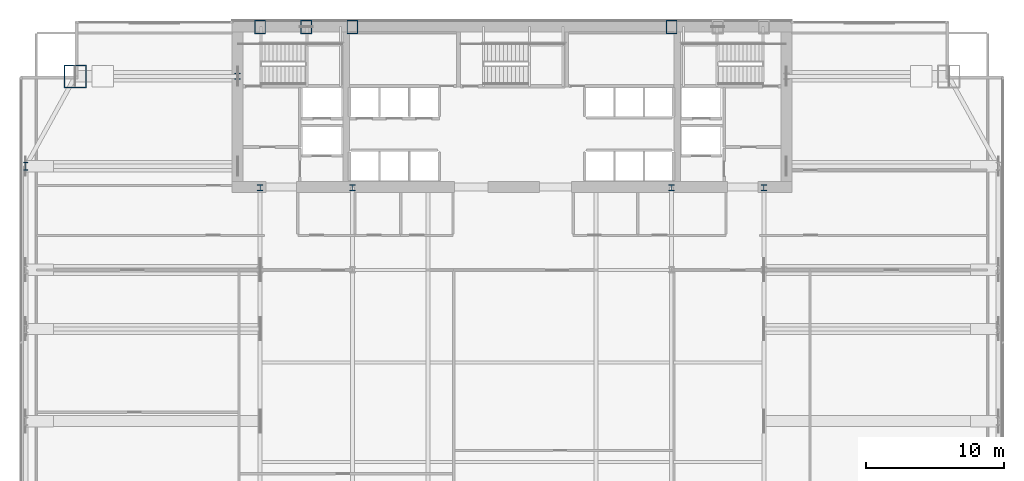
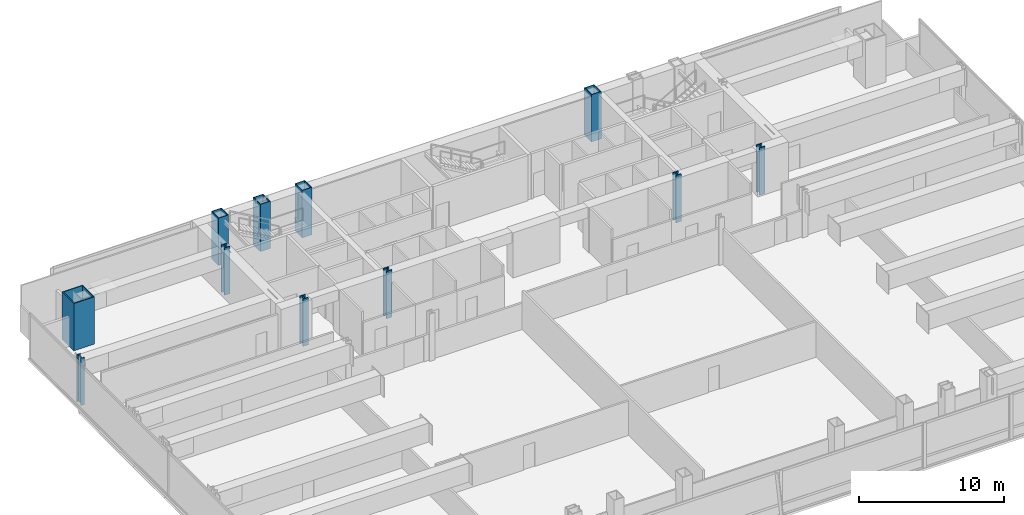
# One storey, part 3 of 32: 11 columns.
"""IFC4 building model written with IfcOpenShell, lengths in metres."""

from ifc_helpers import new_model, si_unit, direction, frame, origin, origin_2d, place, context, subcontext, project, spatial, hollow_rectangle, i_section, extrude, material, material_profile, profile_set, type_object, element, save


model = new_model("IFC4")

# Units and contexts
model_context = context("Model", 3, precision=1e-05, world=origin(), true_north=direction((0.0, 1.0)))
body_context = subcontext(model_context, "Body", "Model", "MODEL_VIEW")
ifc_project = project(units=[si_unit("LENGTHUNIT", "METRE"), si_unit("AREAUNIT", "SQUARE_METRE"), si_unit("VOLUMEUNIT", "CUBIC_METRE"), si_unit("PLANEANGLEUNIT", "RADIAN"), si_unit("MASSUNIT", "GRAM", prefix="KILO")], contexts=[model_context])

# Site, building, storey
site_placement = place(None, origin())
site = spatial("IfcSite", under=ifc_project, at=site_placement, CompositionType="ELEMENT")
building_placement = place(site_placement, origin())
building = spatial("IfcBuilding", under=site, at=building_placement, Name="Khoronbel Lancet Exchange", CompositionType="ELEMENT")
storey_placement = place(building_placement, frame((0.0, 0.0, 77.800048828125)))
storey = spatial("IfcBuildingStorey", under=building, at=storey_placement, Name="L18", CompositionType="ELEMENT", Elevation=77.800048828125)

# Columns
ifc_material_1 = material(Name="Steel S460", Category="steel")
ifc_material_profile_1 = material_profile(ifc_material_1, hollow_rectangle(XDim=0.800048828125, YDim=1.0, WallThickness=0.054931640625, at=origin_2d()), Name="BOX 1000x800x55")
ifc_profile_set_1 = profile_set([ifc_material_profile_1], Name="Steel S460")
column_type_1 = type_object("IfcColumnType", Name="COL-EC1", PredefinedType="COLUMN", material=ifc_profile_set_1)
for number, where, z_axis, x_axis, name in (
    (1, (18.22509765625, 53.280029296875, 0.0), (0.0, 0.0, 1.0), (1.0, 0.0, 0.0), "Structural column NC-W1 L18"),
    (2, (21.5625, 53.280029296875, 0.0), (0.0, 0.0, 1.0), (1.0, 0.0, 0.0), "Structural column NC-WM L18"),
    (3, (24.89990234375, 53.280029296875, 0.0), (0.0, 0.0, 1.0), (1.0, 0.0, 0.0), "Structural column NC-W2 L18"),
    (4, (48.0, 53.280029296875, 0.0), (0.0, 0.0, 1.0), (1.0, 0.0, 0.0), "Structural column NC-E1 L18"),
):
    element("IfcColumn", number, at=place(storey_placement, frame(where, z_axis=z_axis, x_axis=x_axis)), inside=storey, type_object=column_type_1, Name=name, PredefinedType="COLUMN", context=body_context, shape_type="SweptSolid", body=[
        extrude(hollow_rectangle(XDim=0.800048828125, YDim=1.0, WallThickness=0.054931640625, at=origin_2d()), origin(), (0.0, 0.0, 1.0), 4.0),
    ])
ifc_material_profile_2 = material_profile(ifc_material_1, i_section(OverallWidth=0.424072265625, OverallDepth=0.47412109375, WebThickness=0.047607421875, FlangeThickness=0.076904296875, at=origin_2d()), Name="HD 400x634")
ifc_profile_set_2 = profile_set([ifc_material_profile_2], Name="Steel S460")
column_type_2 = type_object("IfcColumnType", Name="COL-IC1", PredefinedType="COLUMN", material=ifc_profile_set_2)
for number, where, z_axis, x_axis, name in (
    (5, (16.60009765625, 49.699951171875, 0.0), (0.0, 0.0, 1.0), (1.0, 0.0, 0.0), "Core-flank plumb transfer column CFW L18"),
    (6, (18.22509765625, 41.64990234375, 0.0), (0.0, 0.0, 1.0), (1.0, 0.0, 0.0), "Core-embedded steel column CTC1 L18"),
    (7, (24.89990234375, 41.64990234375, 0.0), (0.0, 0.0, 1.0), (1.0, 0.0, 0.0), "Core-embedded steel column CTC2 L18"),
    (8, (48.0, 41.64990234375, 0.0), (0.0, 0.0, 1.0), (1.0, 0.0, 0.0), "Core-embedded steel column CTC3 L18"),
    (9, (54.675048828125, 41.64990234375, 0.0), (0.0, 0.0, 1.0), (1.0, 0.0, 0.0), "Core-embedded steel column CTC4 L18"),
):
    element("IfcColumn", number, at=place(storey_placement, frame(where, z_axis=z_axis, x_axis=x_axis)), inside=storey, type_object=column_type_2, Name=name, PredefinedType="COLUMN", context=body_context, shape_type="SweptSolid", body=[
        extrude(i_section(OverallWidth=0.424072265625, OverallDepth=0.47412109375, WebThickness=0.047607421875, FlangeThickness=0.076904296875, at=origin_2d()), origin(), (0.0, 0.0, 1.0), 4.0),
    ])
ifc_material_2 = material(Name="Steel S355", Category="steel")
ifc_material_profile_3 = material_profile(ifc_material_2, i_section(OverallWidth=0.300048828125, OverallDepth=0.550048828125, WebThickness=0.014892578125, FlangeThickness=0.029052734375, at=origin_2d()), Name="HEB 550")
ifc_profile_set_3 = profile_set([ifc_material_profile_3], Name="Steel S355")
column_type_3 = type_object("IfcColumnType", Name="COL-LC1", PredefinedType="COLUMN", material=ifc_profile_set_3)
column_1_placement = place(storey_placement, frame((1.27001953125, 43.199951171875, 0.0), z_axis=(0.0, 0.0, 1.0), x_axis=(1.0, 0.0, 0.0)))
element("IfcColumn", 10, at=column_1_placement, inside=storey, type_object=column_type_3, Name="Structural column WC-4 L18", PredefinedType="COLUMN", context=body_context, shape_type="SweptSolid", body=[
    extrude(i_section(OverallWidth=0.300048828125, OverallDepth=0.550048828125, WebThickness=0.014892578125, FlangeThickness=0.029052734375, at=origin_2d()), origin(), (0.0, 0.0, 1.0), 4.0),
])
ifc_material_profile_4 = material_profile(ifc_material_1, hollow_rectangle(XDim=1.64990234375, YDim=1.64990234375, WallThickness=0.074951171875, at=origin_2d()), Name="BOX 1650x1650x75")
ifc_profile_set_4 = profile_set([ifc_material_profile_4], Name="Steel S460")
column_type_4 = type_object("IfcColumnType", Name="COL-MC2", PredefinedType="COLUMN", material=ifc_profile_set_4)
column_2_placement = place(storey_placement, frame((4.85009765625, 49.699951171875, 0.0), z_axis=(0.0, 0.0, 1.0), x_axis=(1.0, 0.0, 0.0)))
element("IfcColumn", 11, at=column_2_placement, inside=storey, type_object=column_type_4, Name="Structural column MC-NW L18", PredefinedType="COLUMN", context=body_context, shape_type="SweptSolid", body=[
    extrude(hollow_rectangle(XDim=1.64990234375, YDim=1.64990234375, WallThickness=0.074951171875, at=origin_2d()), origin(), (0.0, 0.0, 1.0), 4.0),
])

save(model, "model.ifc")
